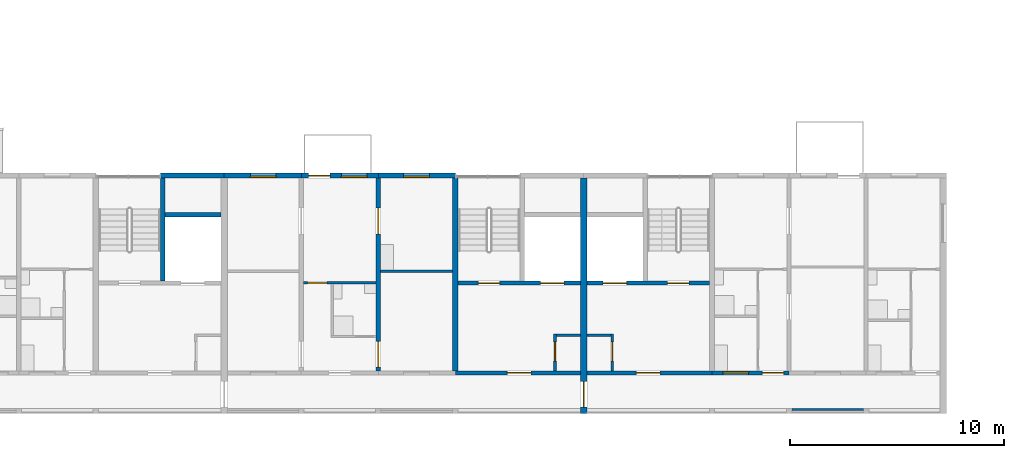
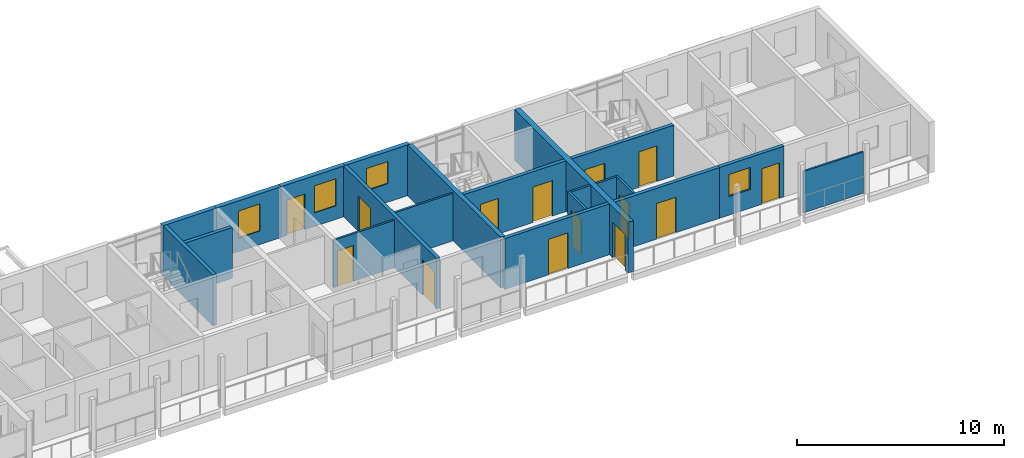
# One storey, part 41 of 94: 21 walls, 14 doors, 4 windows, 18 openings.
"""IFC4 building model written with IfcOpenShell, lengths in metres."""

from ifc_helpers import new_model, si_unit, direction, frame, frame_2d, origin, place, context, subcontext, project, spatial, rectangle, extrude, material, layer, layer_set, type_object, element, fill, save


model = new_model("IFC4")

# Units and contexts
model_context = context("Model", 3, precision=1e-05, world=origin(), true_north=direction((0.0, 1.0)))
body_context = subcontext(model_context, "Body", "Model", "MODEL_VIEW")
ifc_project = project(units=[si_unit("LENGTHUNIT", "METRE"), si_unit("AREAUNIT", "SQUARE_METRE"), si_unit("VOLUMEUNIT", "CUBIC_METRE"), si_unit("PLANEANGLEUNIT", "RADIAN"), si_unit("MASSUNIT", "GRAM", prefix="KILO")], contexts=[model_context])

# Site, building, storey
site_placement = place(None, origin())
site = spatial("IfcSite", under=ifc_project, at=site_placement, CompositionType="ELEMENT")
building_placement = place(site_placement, origin())
building = spatial("IfcBuilding", under=site, at=building_placement, Name="Ridgestep Commons", CompositionType="ELEMENT")
storey_placement = place(building_placement, frame((0.0, 0.0, 24.0)))
storey = spatial("IfcBuildingStorey", under=building, at=storey_placement, Name="L08", CompositionType="ELEMENT", Elevation=24.0)

# Wall
ifc_material_1 = material(Name="Concrete C30/37", Category="concrete")
ifc_layer_1 = layer(ifc_material_1, 0.25)
ifc_layer_set_1 = layer_set([ifc_layer_1], Name="Core cross wall 250")
wall_type_1 = type_object("IfcWallType", Name="Core cross wall 250", PredefinedType="SHEAR", material=ifc_layer_set_1)
wall_1_placement = place(storey_placement, frame((90.0, 13.75, 0.0), z_axis=(0.0, 0.0, 1.0), x_axis=(0.0, 1.0, 0.0)))
element("IfcWall", 1, at=wall_1_placement, inside=storey, type_object=wall_type_1, Name="Cross wall A-08-0900", PredefinedType="SHEAR", context=body_context, shape_type="SweptSolid", body=[
    extrude(rectangle(XDim=9.0, YDim=0.25, at=frame_2d((4.5, 0.0))), origin(), (0.0, 0.0, 1.0), 3.0),
])

# Wall, opening, door
ifc_material_2 = material(Name="Concrete C30/37", Category="concrete")
ifc_layer_2 = layer(ifc_material_2, 0.199951171875)
ifc_layer_set_2 = layer_set([ifc_layer_2], Name="Core south wall 200")
wall_type_2 = type_object("IfcWallType", Name="Core south wall 200", PredefinedType="SHEAR", material=ifc_layer_set_2)
wall_2_placement = place(storey_placement, frame((90.0, 13.64990234375, 0.0), z_axis=(0.0, 0.0, 1.0), x_axis=(1.0, 0.0, 0.0)))
wall_2 = element("IfcWall", 2, at=wall_2_placement, inside=storey, type_object=wall_type_2, Name="Core south wall A5C L08", PredefinedType="SHEAR", context=body_context, shape_type="SweptSolid", body=[
    extrude(rectangle(XDim=5.85009765625, YDim=0.199951171875, at=frame_2d((2.925048828125, 0.0))), origin(), (0.0, 0.0, 1.0), 3.0),
])
opening_1_placement = place(wall_2_placement, frame((2.4375, 0.0, 0.0)))
opening_1 = element("IfcOpeningElement", 3, at=opening_1_placement, cuts=wall_2, Name="Opening A5C/08/1", PredefinedType="OPENING", context=body_context, shape_type="SweptSolid", body=[
    extrude(rectangle(XDim=1.10009765625, YDim=2.10009765625, at=frame_2d((0.550048828125, 1.050048828125))), frame((0.0, 0.10986328125, 0.0), z_axis=(0.0, -1.0, 0.0), x_axis=(1.0, 0.0, 0.0)), (0.0, 0.0, 1.0), 0.219970703125),
])
ifc_material_3 = material(Name="Steel fire door", Category="steel")
door_type_1 = type_object("IfcDoorType", Name="Lobby door 1100 x 2100 FD60", OperationType="NOTDEFINED", PredefinedType="DOOR", material=ifc_material_3)
door_1_placement = place(opening_1_placement, origin())
door_1 = element("IfcDoor", 4, at=door_1_placement, inside=storey, type_object=door_type_1, Name="Lobby door A5C/08/1", OperationType="SINGLE_SWING_LEFT", OverallHeight=2.10009765625, OverallWidth=1.10009765625, PredefinedType="DOOR", context=body_context, shape_type="SweptSolid", body=[
    extrude(rectangle(XDim=1.10009765625, YDim=2.10009765625, at=frame_2d((0.550048828125, 1.050048828125))), frame((0.0, 0.02490234375, 0.0), z_axis=(0.0, -1.0, 0.0), x_axis=(1.0, 0.0, 0.0)), (0.0, 0.0, 1.0), 0.050048828125),
])
fill(opening_1, door_1)

wall_3_placement = place(storey_placement, frame((96.14990234375, 13.64990234375, 0.0), z_axis=(0.0, 0.0, 1.0), x_axis=(1.0, 0.0, 0.0)))
wall_3 = element("IfcWall", 5, at=wall_3_placement, inside=storey, type_object=wall_type_2, Name="Core south wall A6C L08", PredefinedType="SHEAR", context=body_context, shape_type="SweptSolid", body=[
    extrude(rectangle(XDim=5.85009765625, YDim=0.199951171875, at=frame_2d((2.925048828125, 0.0))), origin(), (0.0, 0.0, 1.0), 3.0),
])
opening_2_placement = place(wall_3_placement, frame((2.3125, 0.0, 0.0)))
opening_2 = element("IfcOpeningElement", 6, at=opening_2_placement, cuts=wall_3, Name="Opening A6C/08/1", PredefinedType="OPENING", context=body_context, shape_type="SweptSolid", body=[
    extrude(rectangle(XDim=1.10009765625, YDim=2.10009765625, at=frame_2d((0.550048828125, 1.050048828125))), frame((0.0, 0.10986328125, 0.0), z_axis=(0.0, -1.0, 0.0), x_axis=(1.0, 0.0, 0.0)), (0.0, 0.0, 1.0), 0.219970703125),
])
door_2_placement = place(opening_2_placement, origin())
door_2 = element("IfcDoor", 7, at=door_2_placement, inside=storey, type_object=door_type_1, Name="Lobby door A6C/08/1", OperationType="SINGLE_SWING_LEFT", OverallHeight=2.10009765625, OverallWidth=1.10009765625, PredefinedType="DOOR", context=body_context, shape_type="SweptSolid", body=[
    extrude(rectangle(XDim=1.10009765625, YDim=2.10009765625, at=frame_2d((0.550048828125, 1.050048828125))), frame((0.0, 0.02490234375, 0.0), z_axis=(0.0, -1.0, 0.0), x_axis=(1.0, 0.0, 0.0)), (0.0, 0.0, 1.0), 0.050048828125),
])
fill(opening_2, door_2)

ifc_material_4 = material(Name="Concrete C30/37", Category="concrete")
ifc_layer_3 = layer(ifc_material_4, 0.1201171875)
ifc_layer_set_3 = layer_set([ifc_layer_3], Name="Core wall 120")
wall_type_3 = type_object("IfcWallType", Name="Core wall 120", PredefinedType="SHEAR", material=ifc_layer_set_3)
wall_4_placement = place(storey_placement, frame((94.659912109375, 13.75, 0.0), z_axis=(0.0, 0.0, 1.0), x_axis=(0.0, 1.0, 0.0)))
wall_4 = element("IfcWall", 8, at=wall_4_placement, inside=storey, type_object=wall_type_3, Name="Core riser w wall A5C L08", PredefinedType="SHEAR", context=body_context, shape_type="SweptSolid", body=[
    extrude(rectangle(XDim=1.719970703125, YDim=0.1201171875, at=frame_2d((0.85986328125, 0.0))), origin(), (0.0, 0.0, 1.0), 3.0),
])
opening_3_placement = place(wall_4_placement, frame((0.449951171875, 0.0, 0.0)))
opening_3 = element("IfcOpeningElement", 9, at=opening_3_placement, cuts=wall_4, Name="Opening A5C/08/4", PredefinedType="OPENING", context=body_context, shape_type="SweptSolid", body=[
    extrude(rectangle(XDim=0.89990234375, YDim=2.10009765625, at=frame_2d((0.449951171875, 1.050048828125))), frame((0.0, 0.070068359375, 0.0), z_axis=(0.0, -1.0, 0.0), x_axis=(1.0, 0.0, 0.0)), (0.0, 0.0, 1.0), 0.14013671875),
])
ifc_material_5 = material(Name="Steel fire door", Category="steel")
door_type_2 = type_object("IfcDoorType", Name="Riser door 900 x 2100 FD60", OperationType="NOTDEFINED", PredefinedType="DOOR", material=ifc_material_5)
door_3_placement = place(opening_3_placement, origin())
door_3 = element("IfcDoor", 10, at=door_3_placement, inside=storey, type_object=door_type_2, Name="Riser door A5C/08/4", OperationType="SINGLE_SWING_LEFT", OverallHeight=2.10009765625, OverallWidth=0.89990234375, PredefinedType="DOOR", context=body_context, shape_type="SweptSolid", body=[
    extrude(rectangle(XDim=0.89990234375, YDim=2.10009765625, at=frame_2d((0.449951171875, 1.050048828125))), frame((0.0, 0.02490234375, 0.0), z_axis=(0.0, -1.0, 0.0), x_axis=(1.0, 0.0, 0.0)), (0.0, 0.0, 1.0), 0.050048828125),
])
fill(opening_3, door_3)

# Wall
wall_5_placement = place(storey_placement, frame((94.719970703125, 15.409912109375, 0.0), z_axis=(0.0, 0.0, 1.0), x_axis=(1.0, 0.0, 0.0)))
element("IfcWall", 11, at=wall_5_placement, inside=storey, type_object=wall_type_3, Name="Core riser n wall A5C L08", PredefinedType="SHEAR", context=body_context, shape_type="SweptSolid", body=[
    extrude(rectangle(XDim=1.130126953125, YDim=0.1201171875, at=frame_2d((0.56494140625, 0.0))), origin(), (0.0, 0.0, 1.0), 3.0),
])

# Wall, opening, door
wall_6_placement = place(storey_placement, frame((97.340087890625, 13.75, 0.0), z_axis=(0.0, 0.0, 1.0), x_axis=(0.0, 1.0, 0.0)))
wall_6 = element("IfcWall", 12, at=wall_6_placement, inside=storey, type_object=wall_type_3, Name="Core riser w wall A6C L08", PredefinedType="SHEAR", context=body_context, shape_type="SweptSolid", body=[
    extrude(rectangle(XDim=1.719970703125, YDim=0.1201171875, at=frame_2d((0.85986328125, 0.0))), origin(), (0.0, 0.0, 1.0), 3.0),
])
opening_4_placement = place(wall_6_placement, frame((0.449951171875, 0.0, 0.0)))
opening_4 = element("IfcOpeningElement", 13, at=opening_4_placement, cuts=wall_6, Name="Opening A6C/08/4", PredefinedType="OPENING", context=body_context, shape_type="SweptSolid", body=[
    extrude(rectangle(XDim=0.89990234375, YDim=2.10009765625, at=frame_2d((0.449951171875, 1.050048828125))), frame((0.0, 0.070068359375, 0.0), z_axis=(0.0, -1.0, 0.0), x_axis=(1.0, 0.0, 0.0)), (0.0, 0.0, 1.0), 0.14013671875),
])
door_4_placement = place(opening_4_placement, origin())
door_4 = element("IfcDoor", 14, at=door_4_placement, inside=storey, type_object=door_type_2, Name="Riser door A6C/08/4", OperationType="SINGLE_SWING_RIGHT", OverallHeight=2.10009765625, OverallWidth=0.89990234375, PredefinedType="DOOR", context=body_context, shape_type="SweptSolid", body=[
    extrude(rectangle(XDim=0.89990234375, YDim=2.10009765625, at=frame_2d((0.449951171875, 1.050048828125))), frame((0.0, 0.02490234375, 0.0), z_axis=(0.0, -1.0, 0.0), x_axis=(1.0, 0.0, 0.0)), (0.0, 0.0, 1.0), 0.050048828125),
])
fill(opening_4, door_4)

# Walls
wall_7_placement = place(storey_placement, frame((96.14990234375, 15.409912109375, 0.0), z_axis=(0.0, 0.0, 1.0), x_axis=(1.0, 0.0, 0.0)))
element("IfcWall", 15, at=wall_7_placement, inside=storey, type_object=wall_type_3, Name="Core riser n wall A6C L08", PredefinedType="SHEAR", context=body_context, shape_type="SweptSolid", body=[
    extrude(rectangle(XDim=1.130126953125, YDim=0.1201171875, at=frame_2d((0.56494140625, 0.0))), origin(), (0.0, 0.0, 1.0), 3.0),
])
ifc_material_6 = material(Name="Concrete C30/37", Category="concrete")
ifc_layer_4 = layer(ifc_material_6, 0.199951171875)
ifc_layer_set_4 = layer_set([ifc_layer_4], Name="Core wall 200")
wall_type_4 = type_object("IfcWallType", Name="Core wall 200", PredefinedType="SHEAR", material=ifc_layer_set_4)
wall_8_placement = place(storey_placement, frame((76.324951171875, 17.949951171875, 0.0), z_axis=(0.0, 0.0, 1.0), x_axis=(0.0, 1.0, 0.0)))
element("IfcWall", 16, at=wall_8_placement, inside=storey, type_object=wall_type_4, Name="Core stair wall A4C L08", PredefinedType="SHEAR", context=body_context, shape_type="SweptSolid", body=[
    extrude(rectangle(XDim=4.800048828125, YDim=0.199951171875, at=frame_2d((2.39990234375, 0.0))), origin(), (0.0, 0.0, 1.0), 3.0),
])
wall_9_placement = place(storey_placement, frame((76.425048828125, 21.050048828125, 0.0), z_axis=(0.0, 0.0, 1.0), x_axis=(1.0, 0.0, 0.0)))
element("IfcWall", 17, at=wall_9_placement, inside=storey, type_object=wall_type_4, Name="Core duct wall A4C L08", PredefinedType="SHEAR", context=body_context, shape_type="SweptSolid", body=[
    extrude(rectangle(XDim=2.625, YDim=0.199951171875, at=frame_2d((1.3125, 0.0))), origin(), (0.0, 0.0, 1.0), 3.0),
])

# Wall, openings, doors
wall_10_placement = place(storey_placement, frame((90.125, 17.85009765625, 0.0), z_axis=(0.0, 0.0, 1.0), x_axis=(1.0, 0.0, 0.0)))
wall_10 = element("IfcWall", 18, at=wall_10_placement, inside=storey, type_object=wall_type_4, Name="Core lobby wall A5C L08", PredefinedType="SHEAR", context=body_context, shape_type="SweptSolid", body=[
    extrude(rectangle(XDim=5.72509765625, YDim=0.199951171875, at=frame_2d((2.862548828125, 0.0))), origin(), (0.0, 0.0, 1.0), 3.0),
])
opening_5_placement = place(wall_10_placement, frame((0.949951171875, 0.0, 0.0)))
opening_5 = element("IfcOpeningElement", 19, at=opening_5_placement, cuts=wall_10, Name="Opening A5C/08/2", PredefinedType="OPENING", context=body_context, shape_type="SweptSolid", body=[
    extrude(rectangle(XDim=1.0, YDim=2.10009765625, at=frame_2d((0.5, 1.050048828125))), frame((0.0, 0.10986328125, 0.0), z_axis=(0.0, -1.0, 0.0), x_axis=(1.0, 0.0, 0.0)), (0.0, 0.0, 1.0), 0.219970703125),
])
opening_6_placement = place(wall_10_placement, frame((3.862548828125, 0.0, 0.0)))
opening_6 = element("IfcOpeningElement", 20, at=opening_6_placement, cuts=wall_10, Name="Opening A5C/08/3", PredefinedType="OPENING", context=body_context, shape_type="SweptSolid", body=[
    extrude(rectangle(XDim=1.10009765625, YDim=2.10009765625, at=frame_2d((0.550048828125, 1.050048828125))), frame((0.0, 0.10986328125, 0.0), z_axis=(0.0, -1.0, 0.0), x_axis=(1.0, 0.0, 0.0)), (0.0, 0.0, 1.0), 0.219970703125),
])
ifc_material_7 = material(Name="Stainless steel", Category="steel")
door_type_3 = type_object("IfcDoorType", Name="Lift landing door 1100 x 2100 FD60", OperationType="DOUBLE_DOOR_SLIDING", PredefinedType="DOOR", material=ifc_material_7)
door_5_placement = place(opening_6_placement, origin())
door_5 = element("IfcDoor", 21, at=door_5_placement, inside=storey, type_object=door_type_3, Name="Landing door LD A5C L08", OperationType="DOUBLE_DOOR_SLIDING", OverallHeight=2.10009765625, OverallWidth=1.10009765625, PredefinedType="DOOR", context=body_context, shape_type="SweptSolid", body=[
    extrude(rectangle(XDim=1.10009765625, YDim=2.10009765625, at=frame_2d((0.550048828125, 1.050048828125))), frame((0.0, 0.02490234375, 0.0), z_axis=(0.0, -1.0, 0.0), x_axis=(1.0, 0.0, 0.0)), (0.0, 0.0, 1.0), 0.050048828125),
])
fill(opening_6, door_5)
ifc_material_8 = material(Name="Steel fire door", Category="steel")
door_type_4 = type_object("IfcDoorType", Name="Stair door 1000 x 2100 FD60", OperationType="NOTDEFINED", PredefinedType="DOOR", material=ifc_material_8)
door_6_placement = place(opening_5_placement, origin())
door_6 = element("IfcDoor", 22, at=door_6_placement, inside=storey, type_object=door_type_4, Name="Stair door A5C/08/2", OperationType="SINGLE_SWING_RIGHT", OverallHeight=2.10009765625, OverallWidth=1.0, PredefinedType="DOOR", context=body_context, shape_type="SweptSolid", body=[
    extrude(rectangle(XDim=1.0, YDim=2.10009765625, at=frame_2d((0.5, 1.050048828125))), frame((0.0, 0.02490234375, 0.0), z_axis=(0.0, -1.0, 0.0), x_axis=(1.0, 0.0, 0.0)), (0.0, 0.0, 1.0), 0.050048828125),
])
fill(opening_5, door_6)

wall_11_placement = place(storey_placement, frame((96.14990234375, 17.85009765625, 0.0), z_axis=(0.0, 0.0, 1.0), x_axis=(1.0, 0.0, 0.0)))
wall_11 = element("IfcWall", 23, at=wall_11_placement, inside=storey, type_object=wall_type_4, Name="Core lobby wall A6C L08", PredefinedType="SHEAR", context=body_context, shape_type="SweptSolid", body=[
    extrude(rectangle(XDim=5.72509765625, YDim=0.199951171875, at=frame_2d((2.862548828125, 0.0))), origin(), (0.0, 0.0, 1.0), 3.0),
])
opening_7_placement = place(wall_11_placement, frame((3.77490234375, 0.0, 0.0)))
opening_7 = element("IfcOpeningElement", 24, at=opening_7_placement, cuts=wall_11, Name="Opening A6C/08/2", PredefinedType="OPENING", context=body_context, shape_type="SweptSolid", body=[
    extrude(rectangle(XDim=1.0, YDim=2.10009765625, at=frame_2d((0.5, 1.050048828125))), frame((0.0, 0.10986328125, 0.0), z_axis=(0.0, -1.0, 0.0), x_axis=(1.0, 0.0, 0.0)), (0.0, 0.0, 1.0), 0.219970703125),
])
opening_8_placement = place(wall_11_placement, frame((0.762451171875, 0.0, 0.0)))
opening_8 = element("IfcOpeningElement", 25, at=opening_8_placement, cuts=wall_11, Name="Opening A6C/08/3", PredefinedType="OPENING", context=body_context, shape_type="SweptSolid", body=[
    extrude(rectangle(XDim=1.10009765625, YDim=2.10009765625, at=frame_2d((0.550048828125, 1.050048828125))), frame((0.0, 0.10986328125, 0.0), z_axis=(0.0, -1.0, 0.0), x_axis=(1.0, 0.0, 0.0)), (0.0, 0.0, 1.0), 0.219970703125),
])
door_7_placement = place(opening_8_placement, origin())
door_7 = element("IfcDoor", 26, at=door_7_placement, inside=storey, type_object=door_type_3, Name="Landing door LD A6C L08", OperationType="DOUBLE_DOOR_SLIDING", OverallHeight=2.10009765625, OverallWidth=1.10009765625, PredefinedType="DOOR", context=body_context, shape_type="SweptSolid", body=[
    extrude(rectangle(XDim=1.10009765625, YDim=2.10009765625, at=frame_2d((0.550048828125, 1.050048828125))), frame((0.0, 0.02490234375, 0.0), z_axis=(0.0, -1.0, 0.0), x_axis=(1.0, 0.0, 0.0)), (0.0, 0.0, 1.0), 0.050048828125),
])
fill(opening_8, door_7)
door_8_placement = place(opening_7_placement, origin())
door_8 = element("IfcDoor", 27, at=door_8_placement, inside=storey, type_object=door_type_4, Name="Stair door A6C/08/2", OperationType="SINGLE_SWING_RIGHT", OverallHeight=2.10009765625, OverallWidth=1.0, PredefinedType="DOOR", context=body_context, shape_type="SweptSolid", body=[
    extrude(rectangle(XDim=1.0, YDim=2.10009765625, at=frame_2d((0.5, 1.050048828125))), frame((0.0, 0.02490234375, 0.0), z_axis=(0.0, -1.0, 0.0), x_axis=(1.0, 0.0, 0.0)), (0.0, 0.0, 1.0), 0.050048828125),
])
fill(opening_7, door_8)

ifc_material_9 = material(Name="Precast concrete C40/50", Category="concrete")
ifc_layer_5 = layer(ifc_material_9, 0.199951171875)
ifc_layer_set_5 = layer_set([ifc_layer_5], Name="Cross wall 200")
wall_type_5 = type_object("IfcWallType", Name="Cross wall 200", PredefinedType="SHEAR", material=ifc_layer_set_5)
wall_12_placement = place(storey_placement, frame((86.39990234375, 13.75, 0.0), z_axis=(0.0, 0.0, 1.0), x_axis=(0.0, 1.0, 0.0)))
wall_12 = element("IfcWall", 28, at=wall_12_placement, inside=storey, type_object=wall_type_5, Name="Cross wall A-08-0864", PredefinedType="SHEAR", context=body_context, shape_type="SweptSolid", body=[
    extrude(rectangle(XDim=9.0, YDim=0.199951171875, at=frame_2d((4.5, 0.0))), origin(), (0.0, 0.0, 1.0), 3.0),
])
opening_9_placement = place(wall_12_placement, frame((0.175048828125, 0.0, 0.0)))
opening_9 = element("IfcOpeningElement", 29, at=opening_9_placement, cuts=wall_12, Name="Opening A5-08a/6", PredefinedType="OPENING", context=body_context, shape_type="SweptSolid", body=[
    extrude(rectangle(XDim=1.199951171875, YDim=2.10009765625, at=frame_2d((0.60009765625, 1.050048828125))), frame((0.0, 0.10986328125, 0.0), z_axis=(0.0, -1.0, 0.0), x_axis=(1.0, 0.0, 0.0)), (0.0, 0.0, 1.0), 0.219970703125),
])
opening_10_placement = place(wall_12_placement, frame((6.39990234375, 0.0, 0.0)))
opening_10 = element("IfcOpeningElement", 30, at=opening_10_placement, cuts=wall_12, Name="Opening A5-08a/7", PredefinedType="OPENING", context=body_context, shape_type="SweptSolid", body=[
    extrude(rectangle(XDim=1.199951171875, YDim=2.10009765625, at=frame_2d((0.60009765625, 1.050048828125))), frame((0.0, 0.10986328125, 0.0), z_axis=(0.0, -1.0, 0.0), x_axis=(1.0, 0.0, 0.0)), (0.0, 0.0, 1.0), 0.219970703125),
])
ifc_material_10 = material(Name="Timber door leaf", Category="wood")
door_type_5 = type_object("IfcDoorType", Name="Double door 1200 x 2100", OperationType="DOUBLE_DOOR_SINGLE_SWING", PredefinedType="DOOR", material=ifc_material_10)
door_9_placement = place(opening_9_placement, origin())
door_9 = element("IfcDoor", 31, at=door_9_placement, inside=storey, type_object=door_type_5, Name="Double door A5-08a/6", OperationType="DOUBLE_DOOR_SINGLE_SWING", OverallHeight=2.10009765625, OverallWidth=1.199951171875, PredefinedType="DOOR", context=body_context, shape_type="SweptSolid", body=[
    extrude(rectangle(XDim=1.199951171875, YDim=2.10009765625, at=frame_2d((0.60009765625, 1.050048828125))), frame((0.0, 0.02490234375, 0.0), z_axis=(0.0, -1.0, 0.0), x_axis=(1.0, 0.0, 0.0)), (0.0, 0.0, 1.0), 0.050048828125),
])
fill(opening_9, door_9)
door_10_placement = place(opening_10_placement, origin())
door_10 = element("IfcDoor", 32, at=door_10_placement, inside=storey, type_object=door_type_5, Name="Double door A5-08a/7", OperationType="DOUBLE_DOOR_SINGLE_SWING", OverallHeight=2.10009765625, OverallWidth=1.199951171875, PredefinedType="DOOR", context=body_context, shape_type="SweptSolid", body=[
    extrude(rectangle(XDim=1.199951171875, YDim=2.10009765625, at=frame_2d((0.60009765625, 1.050048828125))), frame((0.0, 0.02490234375, 0.0), z_axis=(0.0, -1.0, 0.0), x_axis=(1.0, 0.0, 0.0)), (0.0, 0.0, 1.0), 0.050048828125),
])
fill(opening_10, door_10)

# Wall, opening, door
ifc_material_11 = material(Name="Precast concrete C40/50", Category="concrete")
ifc_layer_6 = layer(ifc_material_11, 0.300048828125)
ifc_layer_set_6 = layer_set([ifc_layer_6], Name="Division wall 300")
wall_type_6 = type_object("IfcWallType", Name="Division wall 300", PredefinedType="SHEAR", material=ifc_layer_set_6)
wall_13_placement = place(storey_placement, frame((96.0, 11.75, 0.0), z_axis=(0.0, 0.0, 1.0), x_axis=(0.0, 1.0, 0.0)))
wall_13 = element("IfcWall", 33, at=wall_13_placement, inside=storey, type_object=wall_type_6, Name="Cross wall A-08-0960", PredefinedType="SHEAR", context=body_context, shape_type="SweptSolid", body=[
    extrude(rectangle(XDim=11.0, YDim=0.300048828125, at=frame_2d((5.5, 0.0))), origin(), (0.0, 0.0, 1.0), 3.0),
])
opening_11_placement = place(wall_13_placement, frame((0.300048828125, 0.0, 0.0)))
opening_11 = element("IfcOpeningElement", 34, at=opening_11_placement, cuts=wall_13, Name="Opening A/08/G0960", PredefinedType="OPENING", context=body_context, shape_type="SweptSolid", body=[
    extrude(rectangle(XDim=1.199951171875, YDim=2.10009765625, at=frame_2d((0.60009765625, 1.050048828125))), frame((0.0, 0.159912109375, 0.0), z_axis=(0.0, -1.0, 0.0), x_axis=(1.0, 0.0, 0.0)), (0.0, 0.0, 1.0), 0.320068359375),
])
ifc_material_12 = material(Name="Steel fire door", Category="steel")
door_type_6 = type_object("IfcDoorType", Name="Division fire door 1200 x 2100 EI 240", OperationType="DOUBLE_DOOR_SINGLE_SWING", PredefinedType="DOOR", material=ifc_material_12)
door_11_placement = place(opening_11_placement, origin())
door_11 = element("IfcDoor", 35, at=door_11_placement, inside=storey, type_object=door_type_6, Name="Division fire door A/08/G0960", OperationType="DOUBLE_DOOR_SINGLE_SWING", OverallHeight=2.10009765625, OverallWidth=1.199951171875, PredefinedType="DOOR", context=body_context, shape_type="SweptSolid", body=[
    extrude(rectangle(XDim=1.199951171875, YDim=2.10009765625, at=frame_2d((0.60009765625, 1.050048828125))), frame((0.0, 0.02490234375, 0.0), z_axis=(0.0, -1.0, 0.0), x_axis=(1.0, 0.0, 0.0)), (0.0, 0.0, 1.0), 0.050048828125),
])
fill(opening_11, door_11)

# Wall
ifc_material_13 = material(Name="Precast concrete C40/50", Category="concrete")
ifc_layer_7 = layer(ifc_material_13, 0.25)
ifc_layer_set_7 = layer_set([ifc_layer_7], Name="North facade panel 250")
wall_type_7 = type_object("IfcWallType", Name="North facade panel 250", PredefinedType="SOLIDWALL", material=ifc_layer_set_7)
wall_14_placement = place(storey_placement, frame((76.22509765625, 22.875, 0.0), z_axis=(0.0, 0.0, 1.0), x_axis=(1.0, 0.0, 0.0)))
element("IfcWall", 36, at=wall_14_placement, inside=storey, type_object=wall_type_7, Name="North panel A4C L08", PredefinedType="SOLIDWALL", context=body_context, shape_type="SweptSolid", body=[
    extrude(rectangle(XDim=2.974853515625, YDim=0.25, at=frame_2d((1.4873046875, 0.0))), origin(), (0.0, 0.0, 1.0), 3.0),
])

# Wall, opening, window
wall_15_placement = place(storey_placement, frame((79.199951171875, 22.875, 0.0), z_axis=(0.0, 0.0, 1.0), x_axis=(1.0, 0.0, 0.0)))
wall_15 = element("IfcWall", 37, at=wall_15_placement, inside=storey, type_object=wall_type_7, Name="North panel A5T1 L08", PredefinedType="SOLIDWALL", context=body_context, shape_type="SweptSolid", body=[
    extrude(rectangle(XDim=3.60009765625, YDim=0.25, at=frame_2d((1.800048828125, 0.0))), origin(), (0.0, 0.0, 1.0), 3.0),
])
opening_12_placement = place(wall_15_placement, frame((1.22509765625, 0.0, 0.800048828125)))
opening_12 = element("IfcOpeningElement", 38, at=opening_12_placement, cuts=wall_15, Name="Opening W11", PredefinedType="OPENING", context=body_context, shape_type="SweptSolid", body=[
    extrude(rectangle(XDim=1.199951171875, YDim=1.60009765625, at=frame_2d((0.60009765625, 0.800048828125))), frame((0.0, 0.135009765625, 0.0), z_axis=(0.0, -1.0, 0.0), x_axis=(1.0, 0.0, 0.0)), (0.0, 0.0, 1.0), 0.27001953125),
])
ifc_material_14 = material(Name="Aluminium 6063-T6 and glass", Category="aluminium")
window_type_1 = type_object("IfcWindowType", Name="Flat window 1200 x 1600", PartitioningType="SINGLE_PANEL", PredefinedType="WINDOW", material=ifc_material_14)
window_1_placement = place(opening_12_placement, origin())
window_1 = element("IfcWindow", 39, at=window_1_placement, inside=storey, type_object=window_type_1, Name="Window A5-08a 2", OverallHeight=1.60009765625, OverallWidth=1.199951171875, PartitioningType="SINGLE_PANEL", PredefinedType="WINDOW", context=body_context, shape_type="SweptSolid", body=[
    extrude(rectangle(XDim=1.199951171875, YDim=1.60009765625, at=frame_2d((0.60009765625, 0.800048828125))), frame((0.0, -0.02490234375, 0.0), z_axis=(0.0, -1.0, 0.0), x_axis=(1.0, 0.0, 0.0)), (0.0, 0.0, 1.0), 0.06005859375),
])
fill(opening_12, window_1)

# Wall, openings, door, window
wall_16_placement = place(storey_placement, frame((82.800048828125, 22.875, 0.0), z_axis=(0.0, 0.0, 1.0), x_axis=(1.0, 0.0, 0.0)))
wall_16 = element("IfcWall", 40, at=wall_16_placement, inside=storey, type_object=wall_type_7, Name="North panel A5T2 L08", PredefinedType="SOLIDWALL", context=body_context, shape_type="SweptSolid", body=[
    extrude(rectangle(XDim=3.599853515625, YDim=0.25, at=frame_2d((1.7998046875, 0.0))), origin(), (0.0, 0.0, 1.0), 3.0),
])
opening_13_placement = place(wall_16_placement, frame((1.87451171875, 0.0, 0.800048828125)))
opening_13 = element("IfcOpeningElement", 41, at=opening_13_placement, cuts=wall_16, Name="Opening W11", PredefinedType="OPENING", context=body_context, shape_type="SweptSolid", body=[
    extrude(rectangle(XDim=1.199951171875, YDim=1.60009765625, at=frame_2d((0.60009765625, 0.800048828125))), frame((0.0, 0.135009765625, 0.0), z_axis=(0.0, -1.0, 0.0), x_axis=(1.0, 0.0, 0.0)), (0.0, 0.0, 1.0), 0.27001953125),
])
opening_14_placement = place(wall_16_placement, frame((0.34912109375, 0.0, 0.0)))
opening_14 = element("IfcOpeningElement", 42, at=opening_14_placement, cuts=wall_16, Name="Opening A5-08a/8", PredefinedType="OPENING", context=body_context, shape_type="SweptSolid", body=[
    extrude(rectangle(XDim=1.0, YDim=2.10009765625, at=frame_2d((0.5, 1.050048828125))), frame((0.0, 0.135009765625, 0.0), z_axis=(0.0, -1.0, 0.0), x_axis=(1.0, 0.0, 0.0)), (0.0, 0.0, 1.0), 0.27001953125),
])
ifc_material_15 = material(Name="Aluminium and glass", Category="aluminium")
door_type_7 = type_object("IfcDoorType", Name="Balcony door 1000 x 2100", OperationType="NOTDEFINED", PredefinedType="DOOR", material=ifc_material_15)
door_12_placement = place(opening_14_placement, origin())
door_12 = element("IfcDoor", 43, at=door_12_placement, inside=storey, type_object=door_type_7, Name="Balcony door A5-08a/8", OperationType="SINGLE_SWING_RIGHT", OverallHeight=2.10009765625, OverallWidth=1.0, PredefinedType="DOOR", context=body_context, shape_type="SweptSolid", body=[
    extrude(rectangle(XDim=1.0, YDim=2.10009765625, at=frame_2d((0.5, 1.050048828125))), frame((0.0, 0.02490234375, 0.0), z_axis=(0.0, -1.0, 0.0), x_axis=(1.0, 0.0, 0.0)), (0.0, 0.0, 1.0), 0.050048828125),
])
fill(opening_14, door_12)
window_2_placement = place(opening_13_placement, origin())
window_2 = element("IfcWindow", 44, at=window_2_placement, inside=storey, type_object=window_type_1, Name="Window A5-08a 5", OverallHeight=1.60009765625, OverallWidth=1.199951171875, PartitioningType="SINGLE_PANEL", PredefinedType="WINDOW", context=body_context, shape_type="SweptSolid", body=[
    extrude(rectangle(XDim=1.199951171875, YDim=1.60009765625, at=frame_2d((0.60009765625, 0.800048828125))), frame((0.0, -0.02490234375, 0.0), z_axis=(0.0, -1.0, 0.0), x_axis=(1.0, 0.0, 0.0)), (0.0, 0.0, 1.0), 0.06005859375),
])
fill(opening_13, window_2)

# Wall, opening, window
wall_17_placement = place(storey_placement, frame((86.39990234375, 22.875, 0.0), z_axis=(0.0, 0.0, 1.0), x_axis=(1.0, 0.0, 0.0)))
wall_17 = element("IfcWall", 45, at=wall_17_placement, inside=storey, type_object=wall_type_7, Name="North panel A5T3 L08", PredefinedType="SOLIDWALL", context=body_context, shape_type="SweptSolid", body=[
    extrude(rectangle(XDim=3.60009765625, YDim=0.25, at=frame_2d((1.800048828125, 0.0))), origin(), (0.0, 0.0, 1.0), 3.0),
])
opening_15_placement = place(wall_17_placement, frame((1.1875, 0.0, 1.10009765625)))
opening_15 = element("IfcOpeningElement", 46, at=opening_15_placement, cuts=wall_17, Name="Opening W08", PredefinedType="OPENING", context=body_context, shape_type="SweptSolid", body=[
    extrude(rectangle(XDim=1.199951171875, YDim=1.300048828125, at=frame_2d((0.60009765625, 0.64990234375))), frame((0.0, 0.135009765625, 0.0), z_axis=(0.0, -1.0, 0.0), x_axis=(1.0, 0.0, 0.0)), (0.0, 0.0, 1.0), 0.27001953125),
])
ifc_material_16 = material(Name="Aluminium 6063-T6 and glass", Category="aluminium")
window_type_2 = type_object("IfcWindowType", Name="Flat window 1200 x 1300", PartitioningType="SINGLE_PANEL", PredefinedType="WINDOW", material=ifc_material_16)
window_3_placement = place(opening_15_placement, origin())
window_3 = element("IfcWindow", 47, at=window_3_placement, inside=storey, type_object=window_type_2, Name="Window A5-08a 4", OverallHeight=1.300048828125, OverallWidth=1.199951171875, PartitioningType="SINGLE_PANEL", PredefinedType="WINDOW", context=body_context, shape_type="SweptSolid", body=[
    extrude(rectangle(XDim=1.199951171875, YDim=1.300048828125, at=frame_2d((0.60009765625, 0.64990234375))), frame((0.0, -0.02490234375, 0.0), z_axis=(0.0, -1.0, 0.0), x_axis=(1.0, 0.0, 0.0)), (0.0, 0.0, 1.0), 0.06005859375),
])
fill(opening_15, window_3)

# Wall, opening, door
ifc_material_17 = material(Name="Common brick 110 mm", Category="masonry")
ifc_layer_8 = layer(ifc_material_17, 0.110107421875)
ifc_layer_set_8 = layer_set([ifc_layer_8], Name="Partition 110")
wall_type_8 = type_object("IfcWallType", Name="Partition 110", PredefinedType="PARTITIONING", material=ifc_layer_set_8)
wall_18_placement = place(storey_placement, frame((82.89990234375, 17.864990234375, 0.0), z_axis=(0.0, 0.0, 1.0), x_axis=(1.0, 0.0, 0.0)))
wall_18 = element("IfcWall", 48, at=wall_18_placement, inside=storey, type_object=wall_type_8, Name="Partition A5-08a", PredefinedType="PARTITIONING", context=body_context, shape_type="SweptSolid", body=[
    extrude(rectangle(XDim=3.400146484375, YDim=0.110107421875, at=frame_2d((1.7001953125, 0.0))), origin(), (0.0, 0.0, 1.0), 2.800048828125),
])
opening_16_placement = place(wall_18_placement, frame((0.199951171875, 0.0, 0.0)))
opening_16 = element("IfcOpeningElement", 49, at=opening_16_placement, cuts=wall_18, Name="Opening A5-08a/3", PredefinedType="OPENING", context=body_context, shape_type="SweptSolid", body=[
    extrude(rectangle(XDim=0.89990234375, YDim=2.10009765625, at=frame_2d((0.449951171875, 1.050048828125))), frame((0.0, 0.06494140625, 0.0), z_axis=(0.0, -1.0, 0.0), x_axis=(1.0, 0.0, 0.0)), (0.0, 0.0, 1.0), 0.130126953125),
])
ifc_material_18 = material(Name="Timber door leaf", Category="wood")
door_type_8 = type_object("IfcDoorType", Name="Internal door 900 x 2100", OperationType="NOTDEFINED", PredefinedType="DOOR", material=ifc_material_18)
door_13_placement = place(opening_16_placement, origin())
door_13 = element("IfcDoor", 50, at=door_13_placement, inside=storey, type_object=door_type_8, Name="Internal door A5-08a/3", OperationType="SINGLE_SWING_LEFT", OverallHeight=2.10009765625, OverallWidth=0.89990234375, PredefinedType="DOOR", context=body_context, shape_type="SweptSolid", body=[
    extrude(rectangle(XDim=0.89990234375, YDim=2.10009765625, at=frame_2d((0.449951171875, 1.050048828125))), frame((0.0, 0.02490234375, 0.0), z_axis=(0.0, -1.0, 0.0), x_axis=(1.0, 0.0, 0.0)), (0.0, 0.0, 1.0), 0.050048828125),
])
fill(opening_16, door_13)

# Walls
wall_19_placement = place(storey_placement, frame((86.5, 18.405029296875, 0.0), z_axis=(0.0, 0.0, 1.0), x_axis=(1.0, 0.0, 0.0)))
element("IfcWall", 51, at=wall_19_placement, inside=storey, type_object=wall_type_8, Name="Partition A5-08a", PredefinedType="PARTITIONING", context=body_context, shape_type="SweptSolid", body=[
    extrude(rectangle(XDim=3.375, YDim=0.110107421875, at=frame_2d((1.6875, 0.0))), origin(), (0.0, 0.0, 1.0), 2.800048828125),
])
ifc_material_19 = material(Name="Precast concrete C30/37", Category="concrete")
ifc_layer_9 = layer(ifc_material_19, 0.10009765625)
ifc_layer_set_9 = layer_set([ifc_layer_9], Name="Perforated gallery screen 3350 x 2450 x 100")
wall_type_9 = type_object("IfcWallType", Name="Perforated gallery screen 3350 x 2450 x 100", PredefinedType="SOLIDWALL", material=ifc_layer_set_9)
wall_20_placement = place(storey_placement, frame((105.72509765625, 11.949951171875, 0.0), z_axis=(0.0, 0.0, 1.0), x_axis=(1.0, 0.0, 0.0)))
element("IfcWall", 52, at=wall_20_placement, inside=storey, type_object=wall_type_9, Name="Gallery screen A6T2 08", PredefinedType="SOLIDWALL", context=body_context, shape_type="SweptSolid", body=[
    extrude(rectangle(XDim=3.349853515625, YDim=0.10009765625, at=frame_2d((1.6748046875, 0.0))), origin(), (0.0, 0.0, 1.0), 2.449951171875),
])

# Wall, openings, door, window
ifc_material_20 = material(Name="Precast concrete C40/50", Category="concrete")
ifc_layer_10 = layer(ifc_material_20, 0.199951171875)
ifc_layer_set_10 = layer_set([ifc_layer_10], Name="South facade panel 200")
wall_type_10 = type_object("IfcWallType", Name="South facade panel 200", PredefinedType="SOLIDWALL", material=ifc_layer_set_10)
wall_21_placement = place(storey_placement, frame((102.0, 13.64990234375, 0.0), z_axis=(0.0, 0.0, 1.0), x_axis=(1.0, 0.0, 0.0)))
wall_21 = element("IfcWall", 53, at=wall_21_placement, inside=storey, type_object=wall_type_10, Name="South panel A6T3 L08", PredefinedType="SOLIDWALL", context=body_context, shape_type="SweptSolid", body=[
    extrude(rectangle(XDim=3.60009765625, YDim=0.199951171875, at=frame_2d((1.800048828125, 0.0))), origin(), (0.0, 0.0, 1.0), 3.0),
])
opening_17_placement = place(wall_21_placement, frame((0.507568359375, 0.0, 1.10009765625)))
opening_17 = element("IfcOpeningElement", 54, at=opening_17_placement, cuts=wall_21, Name="Opening W08", PredefinedType="OPENING", context=body_context, shape_type="SweptSolid", body=[
    extrude(rectangle(XDim=1.199951171875, YDim=1.300048828125, at=frame_2d((0.60009765625, 0.64990234375))), frame((0.0, 0.10986328125, 0.0), z_axis=(0.0, -1.0, 0.0), x_axis=(1.0, 0.0, 0.0)), (0.0, 0.0, 1.0), 0.219970703125),
])
opening_18_placement = place(wall_21_placement, frame((2.35009765625, 0.0, 0.0)))
opening_18 = element("IfcOpeningElement", 55, at=opening_18_placement, cuts=wall_21, Name="Opening A6-08b/1", PredefinedType="OPENING", context=body_context, shape_type="SweptSolid", body=[
    extrude(rectangle(XDim=1.0, YDim=2.10009765625, at=frame_2d((0.5, 1.050048828125))), frame((0.0, 0.10986328125, 0.0), z_axis=(0.0, -1.0, 0.0), x_axis=(1.0, 0.0, 0.0)), (0.0, 0.0, 1.0), 0.219970703125),
])
ifc_material_21 = material(Name="Timber door leaf", Category="wood")
door_type_9 = type_object("IfcDoorType", Name="Flat entrance door 1000 x 2100 FD30S", OperationType="NOTDEFINED", PredefinedType="DOOR", material=ifc_material_21)
door_14_placement = place(opening_18_placement, origin())
door_14 = element("IfcDoor", 56, at=door_14_placement, inside=storey, type_object=door_type_9, Name="Flat entrance door A6-08b/1", OperationType="SINGLE_SWING_RIGHT", OverallHeight=2.10009765625, OverallWidth=1.0, PredefinedType="DOOR", context=body_context, shape_type="SweptSolid", body=[
    extrude(rectangle(XDim=1.0, YDim=2.10009765625, at=frame_2d((0.5, 1.050048828125))), frame((0.0, 0.02490234375, 0.0), z_axis=(0.0, -1.0, 0.0), x_axis=(1.0, 0.0, 0.0)), (0.0, 0.0, 1.0), 0.050048828125),
])
fill(opening_18, door_14)
window_4_placement = place(opening_17_placement, origin())
window_4 = element("IfcWindow", 57, at=window_4_placement, inside=storey, type_object=window_type_2, Name="Window A6-08b 3", OverallHeight=1.300048828125, OverallWidth=1.199951171875, PartitioningType="SINGLE_PANEL", PredefinedType="WINDOW", context=body_context, shape_type="SweptSolid", body=[
    extrude(rectangle(XDim=1.199951171875, YDim=1.300048828125, at=frame_2d((0.60009765625, 0.64990234375))), frame((0.0, 0.06005859375, 0.0), z_axis=(0.0, -1.0, 0.0), x_axis=(1.0, 0.0, 0.0)), (0.0, 0.0, 1.0), 0.06005859375),
])
fill(opening_17, window_4)

save(model, "model.ifc")
